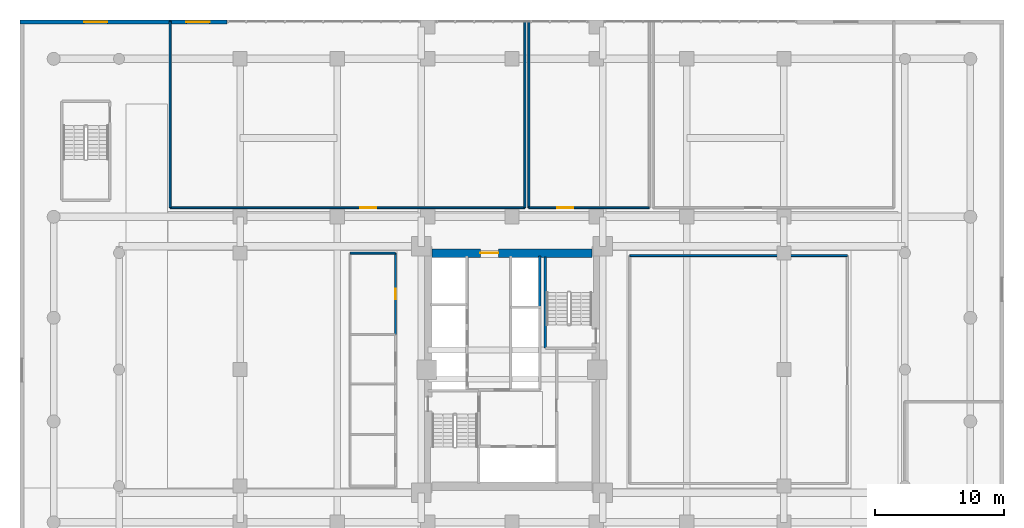
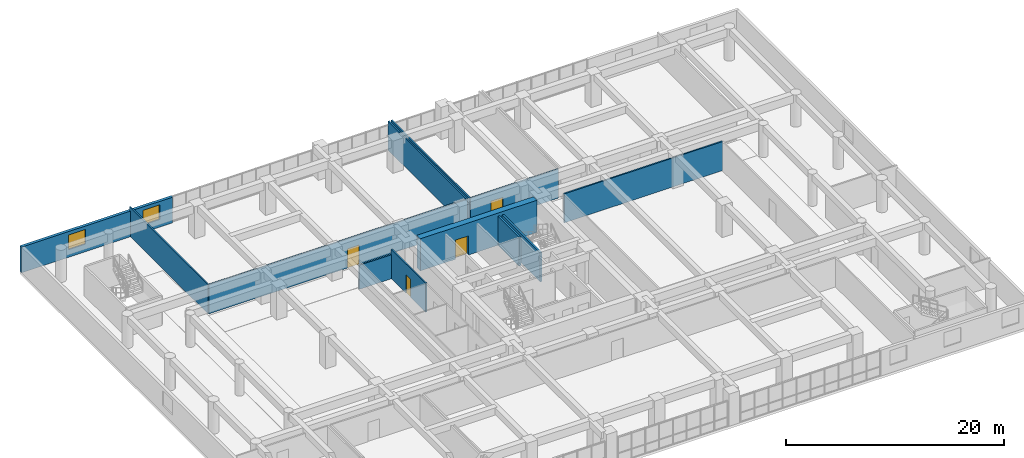
# One storey, part 20 of 30: 12 walls, 4 doors, 2 windows, 6 openings.
"""IFC4 building model written with IfcOpenShell, lengths in metres."""

import ifcopenshell
import ifcopenshell.guid

model = None  # the IFC model being written
_history = None  # IfcOwnerHistory: only IFC2X3 demands one
_inside = {}  # id of a spatial element -> (the spatial element, [elements in it])
_under = {}  # id of a project, library or spatial element -> (it, [spatial elements below it])
_declared = {}  # id of a project -> (the project, [libraries it declares])
_typed = {}  # id of a type object -> (the type object, [elements of that type])
_made_of = {}  # id of a material, layer set ... -> (it, [elements and type objects made of it])


def new_model(schema):
    """Start an empty IFC model of exactly this schema.

    Asked for "IFC4X3", IfcOpenShell would pick the latest addendum, in which some entities
    have other attributes; the version numbers below select the first issue.
    IFC2X3 requires an IfcOwnerHistory on every rooted entity: one is made here for all.
    """
    global model, _history
    if schema == "IFC4X3":
        model = ifcopenshell.file(schema_version=(4, 3, 0, 0))
    else:
        model = ifcopenshell.file(schema=schema)
    _inside.clear()
    _under.clear()
    _declared.clear()
    _typed.clear()
    _made_of.clear()
    _history = None
    if model.schema == "IFC2X3":
        org = make("IfcOrganization", Name="unknown")
        user = make(
            "IfcPersonAndOrganization",
            ThePerson=make("IfcPerson", FamilyName="unknown"),
            TheOrganization=org,
        )
        app = make(
            "IfcApplication",
            ApplicationDeveloper=org,
            Version="unknown",
            ApplicationFullName="unknown",
            ApplicationIdentifier="unknown",
        )
        _history = make(
            "IfcOwnerHistory",
            OwningUser=user,
            OwningApplication=app,
            ChangeAction="ADDED",
            CreationDate=0,
        )
    return model


def make(cls, **values):
    """One entity of the class cls with the attributes given. An attribute that is None is left unset."""
    return model.create_entity(
        cls, **{name: value for name, value in values.items() if value is not None}
    )


def rooted(cls, **values):
    """An entity with a GlobalId (a new one), such as an element, a storey or a relation."""
    return make(cls, GlobalId=ifcopenshell.guid.new(), OwnerHistory=_history, **values)


def si_unit(unit_type, name, prefix=None):
    """IfcSIUnit, for example si_unit("LENGTHUNIT", "METRE", prefix="MILLI")."""
    return make("IfcSIUnit", UnitType=unit_type, Prefix=prefix, Name=name)


def assignment(units):
    """IfcUnitAssignment: the units of a project."""
    return None if units is None else make("IfcUnitAssignment", Units=units)


def point(xyz):
    """IfcCartesianPoint."""
    return None if xyz is None else make("IfcCartesianPoint", Coordinates=xyz)


def direction(xyz):
    """IfcDirection."""
    return None if xyz is None else make("IfcDirection", DirectionRatios=xyz)


def frame(location, z_axis=None, x_axis=None):
    """IfcAxis2Placement3D, a coordinate frame: its origin and axes. An axis left out is left unset."""
    return make(
        "IfcAxis2Placement3D",
        Location=point(location),
        Axis=direction(z_axis),
        RefDirection=direction(x_axis),
    )


def frame_2d(location, x_axis=None):
    """IfcAxis2Placement2D, a coordinate frame in the plane: its origin and x axis."""
    return make(
        "IfcAxis2Placement2D", Location=point(location), RefDirection=direction(x_axis)
    )


def origin():
    """The frame at (0, 0, 0) with its axes left unset."""
    return frame((0.0, 0.0, 0.0))


def place(relative_to, where):
    """IfcLocalPlacement: puts the frame where relative to a parent placement (None: the world)."""
    return make(
        "IfcLocalPlacement", PlacementRelTo=relative_to, RelativePlacement=where
    )


def context(
    kind, dimensions, precision=None, world=None, true_north=None, identifier=None
):
    """IfcGeometricRepresentationContext, for example the 3D "Model" context."""
    return make(
        "IfcGeometricRepresentationContext",
        ContextIdentifier=identifier,
        ContextType=kind,
        CoordinateSpaceDimension=dimensions,
        Precision=precision,
        WorldCoordinateSystem=world,
        TrueNorth=true_north,
    )


def subcontext(parent, identifier, kind, view, scale=None):
    """IfcGeometricRepresentationSubContext, for example "Body" below "Model"."""
    return make(
        "IfcGeometricRepresentationSubContext",
        ContextIdentifier=identifier,
        ContextType=kind,
        ParentContext=parent,
        TargetScale=scale,
        TargetView=view,
    )


def project(units=None, contexts=None):
    """IfcProject with its units and contexts."""
    return rooted(
        "IfcProject",
        Name="project",
        RepresentationContexts=contexts,
        UnitsInContext=assignment(units),
    )


def spatial(cls, under=None, at=None, **own):
    """A site, building, storey or space (cls), placed at a placement, below another one or the project."""
    s = rooted(cls, ObjectPlacement=at, **own)
    if under is not None:
        _under.setdefault(under.id(), (under, []))[1].append(s)
    return s


def profile(cls, at=None, kind="AREA", **sizes):
    """A parametric profile (cls). Its sizes go by their IFC names, for example OverallWidth=200.0."""
    return make(cls, ProfileType=kind, Position=at, **sizes)


def rectangle(**sizes):
    """IfcRectangleProfileDef."""
    return profile("IfcRectangleProfileDef", **sizes)


def extrude(swept, where, along, depth):
    """IfcExtrudedAreaSolid: the profile swept, set in the frame where, extruded along a direction by depth."""
    return make(
        "IfcExtrudedAreaSolid",
        SweptArea=swept,
        Position=where,
        ExtrudedDirection=direction(along),
        Depth=depth,
    )


def shape(context_of_items, identifier, shape_type, items):
    """IfcShapeRepresentation: the items that make up one representation, for example the "Body"."""
    return make(
        "IfcShapeRepresentation",
        ContextOfItems=context_of_items,
        RepresentationIdentifier=identifier,
        RepresentationType=shape_type,
        Items=items,
    )


def source(mapping_origin, context_of_items, identifier, shape_type, items):
    """IfcRepresentationMap: a shape defined once, which mapped items show again and again."""
    return make(
        "IfcRepresentationMap",
        MappingOrigin=mapping_origin,
        MappedRepresentation=shape(context_of_items, identifier, shape_type, items),
    )


def transform(
    local_origin,
    x_axis=None,
    y_axis=None,
    z_axis=None,
    scale=None,
    scale2=None,
    scale3=None,
    uniform=True,
):
    """IfcCartesianTransformationOperator3D, or its non-uniform kind. x_axis, y_axis, z_axis: its Axis1, 2, 3."""
    if uniform:
        return make(
            "IfcCartesianTransformationOperator3D",
            Axis1=direction(x_axis),
            Axis2=direction(y_axis),
            LocalOrigin=point(local_origin),
            Scale=scale,
            Axis3=direction(z_axis),
        )
    return make(
        "IfcCartesianTransformationOperator3DnonUniform",
        Axis1=direction(x_axis),
        Axis2=direction(y_axis),
        LocalOrigin=point(local_origin),
        Scale=scale,
        Axis3=direction(z_axis),
        Scale2=scale2,
        Scale3=scale3,
    )


def mapped(mapping_source, mapping_target):
    """IfcMappedItem: shows the shape of a source again, moved by a transform."""
    return make(
        "IfcMappedItem", MappingSource=mapping_source, MappingTarget=mapping_target
    )


def material(Name=None, Category=None):
    """IfcMaterial."""
    return make("IfcMaterial", Name=Name, Category=Category)


def layer(
    of_material, thickness, ventilated=None, Name=None, Category=None, Priority=None
):
    """IfcMaterialLayer: one layer of a wall or slab, of a material (None: an air gap)."""
    return make(
        "IfcMaterialLayer",
        Material=of_material,
        LayerThickness=thickness,
        IsVentilated=ventilated,
        Name=Name,
        Category=Category,
        Priority=Priority,
    )


def layer_set(layers, Name=None):
    """IfcMaterialLayerSet."""
    return make("IfcMaterialLayerSet", MaterialLayers=layers, LayerSetName=Name)


def made_of(thing, what):
    """Note that an element or type object is made of a material, layer set ...; save() writes the relation."""
    if what is not None:
        _made_of.setdefault(what.id(), (what, []))[1].append(thing)
    return thing


def type_object(cls, material=None, **own):
    """A type object (cls), such as IfcWallType, which elements share."""
    return made_of(rooted(cls, **own), material)


def element(
    cls,
    number,
    at=None,
    inside=None,
    cuts=None,
    type_object=None,
    material=None,
    context=None,
    identifier="Body",
    shape_type=None,
    held_by="IfcProductDefinitionShape",
    body=None,
    shapes=None,
    **own,
):
    """One element of the class cls, such as IfcWall. Its Tag is "e" and its number.

    at: its placement. inside: the storey or other place that contains it. cuts: it is an
    opening in that element (IfcRelVoidsElement). A single representation is given by context,
    identifier, shape_type and body (its items); several are given by shapes. held_by: the class
    of the entity that holds the representations. save() writes the other relations.
    """
    e = rooted(cls, Tag="e%d" % number, ObjectPlacement=at, **own)
    if body is not None:
        shapes = [shape(context, identifier, shape_type, body)]
    if shapes is not None:
        e.Representation = make(held_by, Representations=shapes)
    if inside is not None:
        _inside.setdefault(inside.id(), (inside, []))[1].append(e)
    if cuts is not None:
        rooted(
            "IfcRelVoidsElement", RelatingBuildingElement=cuts, RelatedOpeningElement=e
        )
    if type_object is not None:
        _typed.setdefault(type_object.id(), (type_object, []))[1].append(e)
    return made_of(e, material)


def fill(opening, filler):
    """IfcRelFillsElement: the door or window that sits in an opening."""
    return rooted(
        "IfcRelFillsElement",
        RelatingOpeningElement=opening,
        RelatedBuildingElement=filler,
    )


def aggregate(whole, parts):
    """IfcRelAggregates: a whole, such as a stair, and the parts it consists of."""
    return rooted("IfcRelAggregates", RelatingObject=whole, RelatedObjects=parts)


def save(model, path):
    """Write the relations noted so far, then the file.

    IfcRelAggregates (storeys below a building ...), IfcRelContainedInSpatialStructure (elements
    in a storey), IfcRelDefinesByType, IfcRelAssociatesMaterial and IfcRelDeclares: one each for
    every whole, place, type object, material and project.
    """
    for whole, parts in _under.values():
        aggregate(whole, parts)
    for where, things in _inside.values():
        rooted(
            "IfcRelContainedInSpatialStructure",
            RelatedElements=things,
            RelatingStructure=where,
        )
    for kind, things in _typed.values():
        rooted("IfcRelDefinesByType", RelatedObjects=things, RelatingType=kind)
    for what, things in _made_of.values():
        rooted("IfcRelAssociatesMaterial", RelatedObjects=things, RelatingMaterial=what)
    for by, libraries in _declared.values():
        rooted("IfcRelDeclares", RelatingContext=by, RelatedDefinitions=libraries)
    model.write(path)


model = new_model("IFC4")

# Units and contexts
model_context = context("Model", 3, precision=1e-05, world=origin(), true_north=direction((0.0, 1.0)))
body_context = subcontext(model_context, "Body", "Model", "MODEL_VIEW")
ifc_project = project(units=[si_unit("LENGTHUNIT", "METRE"), si_unit("AREAUNIT", "SQUARE_METRE"), si_unit("VOLUMEUNIT", "CUBIC_METRE"), si_unit("PLANEANGLEUNIT", "RADIAN"), si_unit("MASSUNIT", "GRAM", prefix="KILO")], contexts=[model_context])

# Site, building, storey
site_placement = place(None, origin())
site = spatial("IfcSite", under=ifc_project, at=site_placement, CompositionType="ELEMENT")
building_placement = place(site_placement, origin())
building = spatial("IfcBuilding", under=site, at=building_placement, Name="Saelheon Loggia Tower", CompositionType="ELEMENT")
storey_placement = place(building_placement, frame((0.0, 0.0, 11.39990234375)))
storey = spatial("IfcBuildingStorey", under=building, at=storey_placement, Name="L03", CompositionType="ELEMENT", Elevation=11.39990234375)

# Wall, opening, door
ifc_material_1 = material(Name="Concrete C60/75", Category="concrete")
ifc_layer_1 = layer(ifc_material_1, 0.64990234375)
ifc_layer_set_1 = layer_set([ifc_layer_1], Name="Concrete C60/75")
wall_type_1 = type_object("IfcWallType", Name="Wall_CoreShear_650", PredefinedType="SHEAR", material=ifc_layer_set_1)
wall_1_placement = place(storey_placement, frame((31.824951171875, 36.0, 0.0), z_axis=(0.0, 0.0, 1.0), x_axis=(1.0, 0.0, 0.0)))
wall_1 = element("IfcWall", 1, at=wall_1_placement, inside=storey, type_object=wall_type_1, Name="L03 Core Shear Wall North", PredefinedType="SHEAR", context=body_context, shape_type="SweptSolid", body=[
    extrude(rectangle(XDim=12.35009765625, YDim=0.64990234375, at=frame_2d((6.175048828125, 0.0))), origin(), (0.0, 0.0, 1.0), 3.60009765625),
])
opening_1_placement = place(wall_1_placement, frame((5.125, 0.0, 0.0), z_axis=(0.0, 0.0, 1.0), x_axis=(-1.0, 0.0, 0.0)))
opening_1 = element("IfcOpeningElement", 2, at=opening_1_placement, cuts=wall_1, Name="Opening D-FD2L", PredefinedType="OPENING", context=body_context, shape_type="SweptSolid", body=[
    extrude(rectangle(XDim=1.39990234375, YDim=2.14990234375, at=frame_2d((0.699951171875, 1.074951171875))), frame((0.0, 0.3369140625, 0.0), z_axis=(0.0, -1.0, 0.0), x_axis=(1.0, 0.0, 0.0)), (0.0, 0.0, 1.0), 0.673828125),
])
ifc_material_2 = material(Name="Galvanised Steel Glazed Lobby Fire Door", Category="steel")
door_type_1 = type_object("IfcDoorType", Name="Door_Fire_FD60_1400", OperationType="NOTDEFINED", PredefinedType="DOOR", material=ifc_material_2)
shared_shape_1 = source(origin(), body_context, "Body", "SweptSolid", [
    extrude(rectangle(XDim=1.39990234375, YDim=2.14990234375, at=frame_2d((0.699951171875, 1.074951171875))), frame((0.0, 0.02490234375, 0.0), z_axis=(0.0, -1.0, 0.0), x_axis=(1.0, 0.0, 0.0)), (0.0, 0.0, 1.0), 0.050048828125),
])
door_1_placement = place(opening_1_placement, origin())
door_1 = element("IfcDoor", 3, at=door_1_placement, inside=storey, type_object=door_type_1, Name="L03 Passenger Lift Lobby Main Door", OperationType="SINGLE_SWING_RIGHT", OverallHeight=2.14990234375, OverallWidth=1.39990234375, PredefinedType="DOOR", context=body_context, shape_type="MappedRepresentation", body=[
    mapped(shared_shape_1, transform((0.0, 0.0, 0.0), scale=1.0)),
])
fill(opening_1, door_1)

# Wall, openings, windows
ifc_material_3 = material(Name="Architectural Precast Concrete C40/50", Category="concrete")
ifc_layer_2 = layer(ifc_material_3, 0.300048828125)
ifc_layer_set_2 = layer_set([ifc_layer_2], Name="Architectural Precast Concrete C40/50")
wall_type_2 = type_object("IfcWallType", Name="Wall_Ext_Podium_300", PredefinedType="SOLIDWALL", material=ifc_layer_set_2)
wall_2_placement = place(storey_placement, frame((0.0, 53.85009765625, 0.0), z_axis=(0.0, 0.0, 1.0), x_axis=(1.0, 0.0, 0.0)))
wall_2 = element("IfcWall", 4, at=wall_2_placement, inside=storey, type_object=wall_type_2, Name="L03 North-West Precast Wall", PredefinedType="SOLIDWALL", context=body_context, shape_type="SweptSolid", body=[
    extrude(rectangle(XDim=16.0, YDim=0.300048828125, at=frame_2d((8.0, 0.0))), origin(), (0.0, 0.0, 1.0), 2.880126953125),
])
opening_2_placement = place(wall_2_placement, frame((4.955078125, 0.0, 0.85009765625)))
opening_2 = element("IfcOpeningElement", 5, at=opening_2_placement, cuts=wall_2, Name="Opening WN-01", PredefinedType="OPENING", context=body_context, shape_type="SweptSolid", body=[
    extrude(rectangle(XDim=1.800048828125, YDim=1.64990234375, at=frame_2d((0.89990234375, 0.824951171875))), frame((0.0, 0.162109375, 0.0), z_axis=(0.0, -1.0, 0.0), x_axis=(1.0, 0.0, 0.0)), (0.0, 0.0, 1.0), 0.323974609375),
])
opening_3_placement = place(wall_2_placement, frame((12.844970703125, 0.0, 0.85009765625)))
opening_3 = element("IfcOpeningElement", 6, at=opening_3_placement, cuts=wall_2, Name="Opening WN-01", PredefinedType="OPENING", context=body_context, shape_type="SweptSolid", body=[
    extrude(rectangle(XDim=1.800048828125, YDim=1.64990234375, at=frame_2d((0.89990234375, 0.824951171875))), frame((0.0, 0.162109375, 0.0), z_axis=(0.0, -1.0, 0.0), x_axis=(1.0, 0.0, 0.0)), (0.0, 0.0, 1.0), 0.323974609375),
])
ifc_material_4 = material(Name="Thermal-Break Aluminium and Triple Low-E Glass", Category="aluminium")
window_type = type_object("IfcWindowType", Name="Win_Dwelling_1800x1650", PartitioningType="SINGLE_PANEL", PredefinedType="WINDOW", material=ifc_material_4)
shared_shape_2 = source(origin(), body_context, "Body", "SweptSolid", [
    extrude(rectangle(XDim=1.800048828125, YDim=1.64990234375, at=frame_2d((0.89990234375, 0.824951171875))), frame((0.0, 0.030029296875, 0.0), z_axis=(0.0, -1.0, 0.0), x_axis=(1.0, 0.0, 0.0)), (0.0, 0.0, 1.0), 0.06005859375),
])
window_1_placement = place(opening_2_placement, origin())
window_1 = element("IfcWindow", 7, at=window_1_placement, inside=storey, type_object=window_type, Name="L03 NW Dwelling Window 1", OverallHeight=1.64990234375, OverallWidth=1.800048828125, PartitioningType="SINGLE_PANEL", PredefinedType="WINDOW", context=body_context, shape_type="MappedRepresentation", body=[
    mapped(shared_shape_2, transform((0.0, 0.0, 0.0), scale=1.0)),
])
fill(opening_2, window_1)
window_2_placement = place(opening_3_placement, origin())
window_2 = element("IfcWindow", 8, at=window_2_placement, inside=storey, type_object=window_type, Name="L03 NW Dwelling Window 2", OverallHeight=1.64990234375, OverallWidth=1.800048828125, PartitioningType="SINGLE_PANEL", PredefinedType="WINDOW", context=body_context, shape_type="MappedRepresentation", body=[
    mapped(shared_shape_2, transform((0.0, 0.0, 0.0), scale=1.0)),
])
fill(opening_3, window_2)

# Wall, opening, door
ifc_material_5 = material(Name="Lightweight Autoclaved Aerated Concrete Block and Acoustic Gypsum", Category="concrete")
ifc_layer_3 = layer(ifc_material_5, 0.14990234375)
ifc_layer_set_3 = layer_set([ifc_layer_3], Name="Lightweight Autoclaved Aerated Concrete Block and Acoustic Gypsum")
wall_type_3 = type_object("IfcWallType", Name="Wall_Part_150", PredefinedType="PARTITIONING", material=ifc_layer_set_3)
wall_3_placement = place(storey_placement, frame((29.0, 29.699951171875, 0.0), z_axis=(0.0, 0.0, 1.0), x_axis=(0.0, 1.0, 0.0)))
wall_3 = element("IfcWall", 9, at=wall_3_placement, inside=storey, type_object=wall_type_3, Name="PW-L03-WCS-E4", PredefinedType="PARTITIONING", context=body_context, shape_type="SweptSolid", body=[
    extrude(rectangle(XDim=6.300048828125, YDim=0.14990234375, at=frame_2d((3.14990234375, 0.0))), origin(), (0.0, 0.0, 1.0), 3.25),
])
opening_4_placement = place(wall_3_placement, frame((2.75, 0.0, 0.0)))
opening_4 = element("IfcOpeningElement", 10, at=opening_4_placement, cuts=wall_3, Name="Opening D-ST1", PredefinedType="OPENING", context=body_context, shape_type="SweptSolid", body=[
    extrude(rectangle(XDim=0.800048828125, YDim=2.050048828125, at=frame_2d((0.39990234375, 1.02490234375))), frame((0.0, 0.0869140625, 0.0), z_axis=(0.0, -1.0, 0.0), x_axis=(1.0, 0.0, 0.0)), (0.0, 0.0, 1.0), 0.173828125),
])
ifc_material_6 = material(Name="Powder-Coated Steel Store Door", Category="steel")
door_type_2 = type_object("IfcDoorType", Name="Door_Store_800", OperationType="NOTDEFINED", PredefinedType="DOOR", material=ifc_material_6)
shared_shape_3 = source(origin(), body_context, "Body", "SweptSolid", [
    extrude(rectangle(XDim=0.800048828125, YDim=2.050048828125, at=frame_2d((0.39990234375, 1.02490234375))), frame((0.0, 0.02490234375, 0.0), z_axis=(0.0, -1.0, 0.0), x_axis=(1.0, 0.0, 0.0)), (0.0, 0.0, 1.0), 0.050048828125),
])
door_2_placement = place(opening_4_placement, origin())
door_2 = element("IfcDoor", 11, at=door_2_placement, inside=storey, type_object=door_type_2, Name="L03 Clinic Janitor Door", OperationType="SINGLE_SWING_LEFT", OverallHeight=2.050048828125, OverallWidth=0.800048828125, PredefinedType="DOOR", context=body_context, shape_type="MappedRepresentation", body=[
    mapped(shared_shape_3, transform((0.0, 0.0, 0.0), scale=1.0)),
])
fill(opening_4, door_2)

# Wall
wall_4_placement = place(storey_placement, frame((25.5, 36.0, 0.0), z_axis=(0.0, 0.0, 1.0), x_axis=(1.0, 0.0, 0.0)))
element("IfcWall", 12, at=wall_4_placement, inside=storey, type_object=wall_type_3, Name="PW-L03-WCS-N", PredefinedType="PARTITIONING", context=body_context, shape_type="SweptSolid", body=[
    extrude(rectangle(XDim=3.5, YDim=0.14990234375, at=frame_2d((1.75, 0.0))), origin(), (0.0, 0.0, 1.0), 2.690185546875),
])

# Wall, opening, door
wall_5_placement = place(storey_placement, frame((11.60009765625, 39.5, 0.0), z_axis=(0.0, 0.0, 1.0), x_axis=(1.0, 0.0, 0.0)))
wall_5 = element("IfcWall", 13, at=wall_5_placement, inside=storey, type_object=wall_type_3, Name="PW-L03-HYDRO-S", PredefinedType="PARTITIONING", context=body_context, shape_type="SweptSolid", body=[
    extrude(rectangle(XDim=27.39990234375, YDim=0.14990234375, at=frame_2d((13.699951171875, 0.0))), origin(), (0.0, 0.0, 1.0), 3.25),
])
opening_5_placement = place(wall_5_placement, frame((14.66552734375, 0.0, 0.0)))
opening_5 = element("IfcOpeningElement", 14, at=opening_5_placement, cuts=wall_5, Name="Opening D-CL1", PredefinedType="OPENING", context=body_context, shape_type="SweptSolid", body=[
    extrude(rectangle(XDim=1.25, YDim=2.14990234375, at=frame_2d((0.625, 1.074951171875))), frame((0.0, 0.0869140625, 0.0), z_axis=(0.0, -1.0, 0.0), x_axis=(1.0, 0.0, 0.0)), (0.0, 0.0, 1.0), 0.173828125),
])
ifc_material_7 = material(Name="Antimicrobial Hospital Laminate Door", Category="timber")
door_type_3 = type_object("IfcDoorType", Name="Door_Clinic_1250", OperationType="NOTDEFINED", PredefinedType="DOOR", material=ifc_material_7)
shared_shape_4 = source(origin(), body_context, "Body", "SweptSolid", [
    extrude(rectangle(XDim=1.25, YDim=2.14990234375, at=frame_2d((0.625, 1.074951171875))), frame((0.0, 0.02490234375, 0.0), z_axis=(0.0, -1.0, 0.0), x_axis=(1.0, 0.0, 0.0)), (0.0, 0.0, 1.0), 0.050048828125),
])
door_3_placement = place(opening_5_placement, origin())
door_3 = element("IfcDoor", 15, at=door_3_placement, inside=storey, type_object=door_type_3, Name="L03 Occupational Therapy Fitness Studio Door", OperationType="SINGLE_SWING_LEFT", OverallHeight=2.14990234375, OverallWidth=1.25, PredefinedType="DOOR", context=body_context, shape_type="MappedRepresentation", body=[
    mapped(shared_shape_4, transform((0.0, 0.0, 0.0), scale=1.0)),
])
fill(opening_5, door_3)

# Walls
for number, where, z_axis, x_axis, name in (
    (16, (11.60009765625, 39.5, 0.0), (0.0, 0.0, 1.0), (0.0, 1.0, 0.0), "PW-L03-HYDRO-W"),
    (17, (39.0, 39.5, 0.0), (0.0, 0.0, 1.0), (0.0, 1.0, 0.0), "PW-L03-HYDRO-E"),
):
    element("IfcWall", number, at=place(storey_placement, frame(where, z_axis=z_axis, x_axis=x_axis)), inside=storey, type_object=wall_type_3, Name=name, PredefinedType="PARTITIONING", context=body_context, shape_type="SweptSolid", body=[
        extrude(rectangle(XDim=14.39990234375, YDim=0.14990234375, at=frame_2d((7.199951171875, 0.0))), origin(), (0.0, 0.0, 1.0), 3.25),
    ])

# Wall, opening, door
wall_6_placement = place(storey_placement, frame((39.300048828125, 39.5, 0.0), z_axis=(0.0, 0.0, 1.0), x_axis=(1.0, 0.0, 0.0)))
wall_6 = element("IfcWall", 18, at=wall_6_placement, inside=storey, type_object=wall_type_3, Name="PW-L03-COUNS1-S", PredefinedType="PARTITIONING", context=body_context, shape_type="SweptSolid", body=[
    extrude(rectangle(XDim=9.300048828125, YDim=0.14990234375, at=frame_2d((4.64990234375, 0.0))), origin(), (0.0, 0.0, 1.0), 3.25),
])
opening_6_placement = place(wall_6_placement, frame((2.1875, 0.0, 0.0)))
opening_6 = element("IfcOpeningElement", 19, at=opening_6_placement, cuts=wall_6, Name="Opening D-CL1", PredefinedType="OPENING", context=body_context, shape_type="SweptSolid", body=[
    extrude(rectangle(XDim=1.25, YDim=2.14990234375, at=frame_2d((0.625, 1.074951171875))), frame((0.0, 0.0869140625, 0.0), z_axis=(0.0, -1.0, 0.0), x_axis=(1.0, 0.0, 0.0)), (0.0, 0.0, 1.0), 0.173828125),
])
door_4_placement = place(opening_6_placement, origin())
door_4 = element("IfcDoor", 20, at=door_4_placement, inside=storey, type_object=door_type_3, Name="L03 Maternal Care Clinic A Door", OperationType="SINGLE_SWING_RIGHT", OverallHeight=2.14990234375, OverallWidth=1.25, PredefinedType="DOOR", context=body_context, shape_type="MappedRepresentation", body=[
    mapped(shared_shape_4, transform((0.0, 0.0, 0.0), scale=1.0)),
])
fill(opening_6, door_4)

# Walls
wall_7_placement = place(storey_placement, frame((39.300048828125, 39.5, 0.0), z_axis=(0.0, 0.0, 1.0), x_axis=(0.0, 1.0, 0.0)))
element("IfcWall", 21, at=wall_7_placement, inside=storey, type_object=wall_type_3, Name="PW-L03-COUNS1-W", PredefinedType="PARTITIONING", context=body_context, shape_type="SweptSolid", body=[
    extrude(rectangle(XDim=14.39990234375, YDim=0.14990234375, at=frame_2d((7.199951171875, 0.0))), origin(), (0.0, 0.0, 1.0), 3.25),
])
wall_8_placement = place(storey_placement, frame((47.10009765625, 35.800048828125, 0.0), z_axis=(0.0, 0.0, 1.0), x_axis=(1.0, 0.0, 0.0)))
element("IfcWall", 22, at=wall_8_placement, inside=storey, type_object=wall_type_3, Name="PW-L03-EQUIP3-N", PredefinedType="PARTITIONING", context=body_context, shape_type="SweptSolid", body=[
    extrude(rectangle(XDim=16.7998046875, YDim=0.14990234375, at=frame_2d((8.39990234375, 0.0))), origin(), (0.0, 0.0, 1.0), 3.25),
])
ifc_material_8 = material(Name="Concrete C40/50", Category="concrete")
ifc_layer_4 = layer(ifc_material_8, 0.199951171875)
ifc_layer_set_4 = layer_set([ifc_layer_4], Name="Concrete C40/50")
wall_type_4 = type_object("IfcWallType", Name="Wall_Shaft_200", PredefinedType="PARTITIONING", material=ifc_layer_set_4)
wall_9_placement = place(storey_placement, frame((40.14990234375, 31.800048828125, 0.0), z_axis=(0.0, 0.0, 1.0), x_axis=(0.0, 1.0, 0.0)))
element("IfcWall", 23, at=wall_9_placement, inside=storey, type_object=wall_type_4, Name="L03 East High-Rise Hoistway East Wall", PredefinedType="PARTITIONING", context=body_context, shape_type="SweptSolid", body=[
    extrude(rectangle(XDim=3.97998046875, YDim=0.199951171875, at=frame_2d((1.989990234375, 0.0))), origin(), (0.0, 0.0, 1.0), 3.25),
])
ifc_material_9 = material(Name="Concrete C45/55", Category="concrete")
ifc_layer_5 = layer(ifc_material_9, 0.199951171875)
ifc_layer_set_5 = layer_set([ifc_layer_5], Name="Concrete C45/55")
wall_type_5 = type_object("IfcWallType", Name="Wall_StairShaft_RC200", PredefinedType="SOLIDWALL", material=ifc_layer_set_5)
wall_10_placement = place(storey_placement, frame((40.570068359375, 28.64990234375, 0.0), z_axis=(0.0, 0.0, 1.0), x_axis=(0.0, 1.0, 0.0)))
element("IfcWall", 24, at=wall_10_placement, inside=storey, type_object=wall_type_5, Name="L03 Stair ST2 Shaft Wall", PredefinedType="SOLIDWALL", context=body_context, shape_type="SweptSolid", body=[
    extrude(rectangle(XDim=7.050048828125, YDim=0.199951171875, at=frame_2d((3.52490234375, 0.0))), origin(), (0.0, 0.0, 1.0), 3.25),
])

save(model, "model.ifc")
